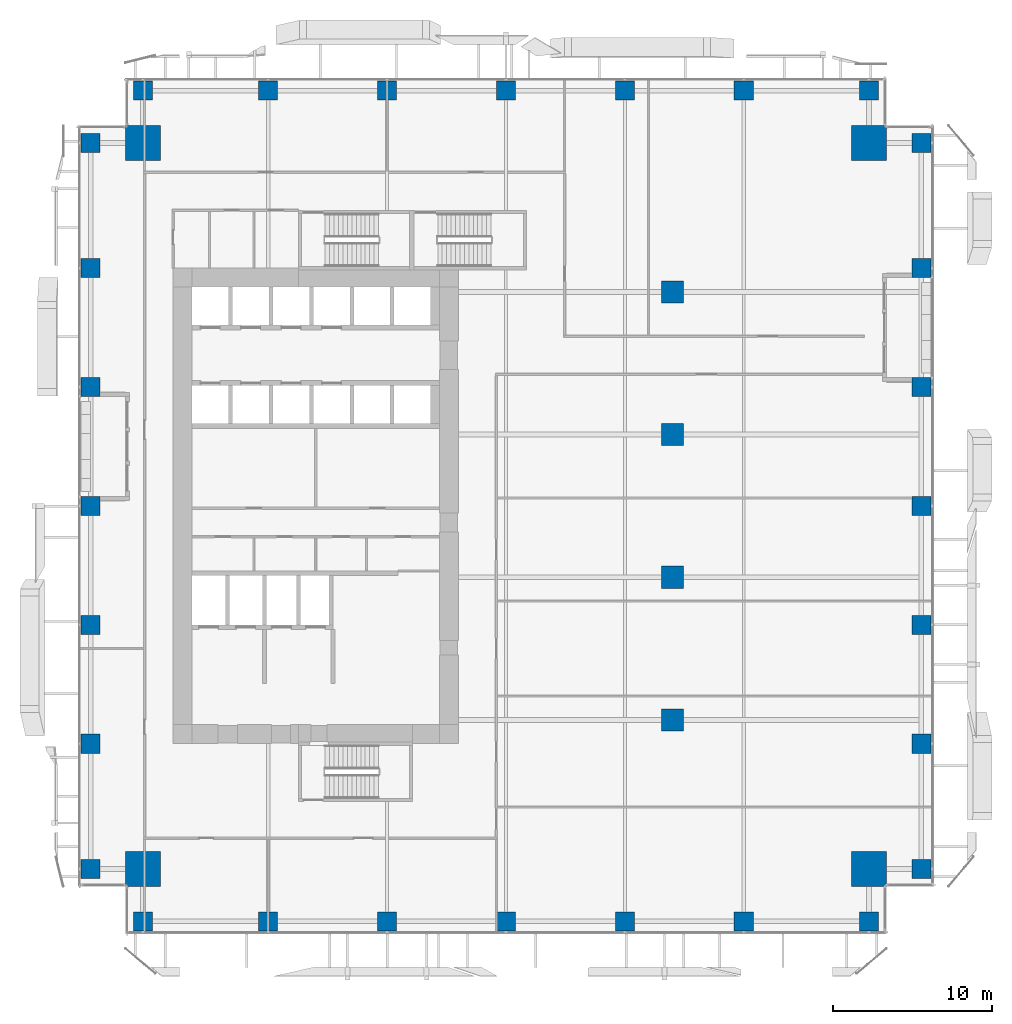
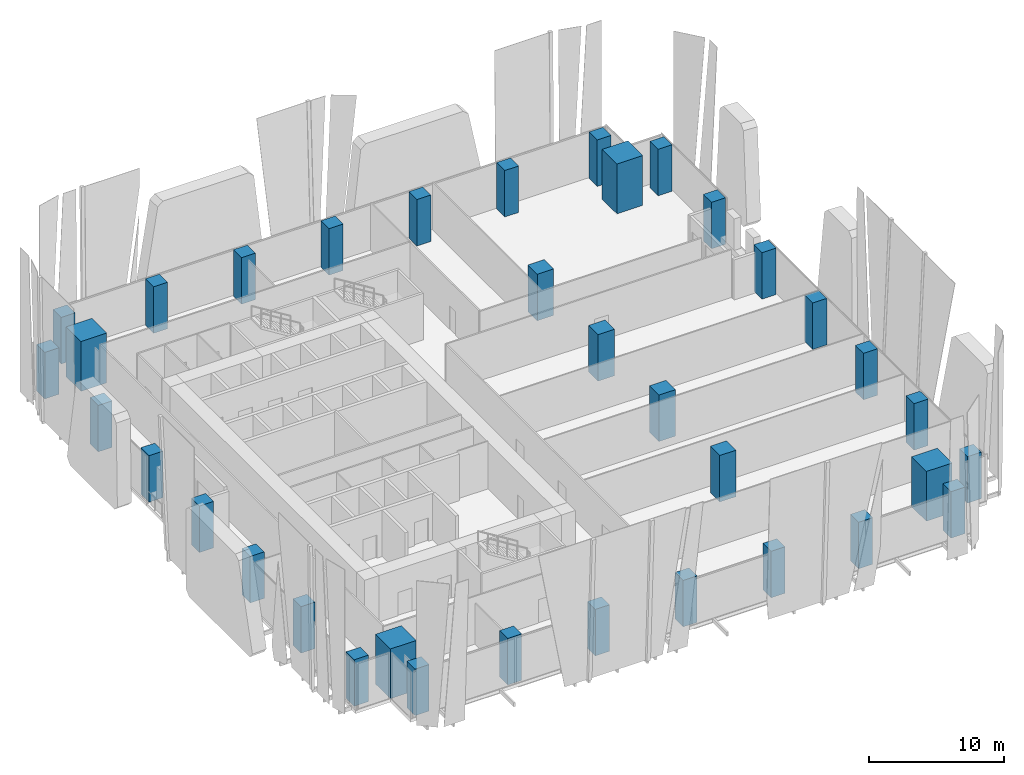
# One storey, part 1 of 37: 36 columns.
"""IFC4 building model written with IfcOpenShell, lengths in metres."""

import ifcopenshell
import ifcopenshell.guid

model = None  # the IFC model being written
_history = None  # IfcOwnerHistory: only IFC2X3 demands one
_inside = {}  # id of a spatial element -> (the spatial element, [elements in it])
_under = {}  # id of a project, library or spatial element -> (it, [spatial elements below it])
_declared = {}  # id of a project -> (the project, [libraries it declares])
_typed = {}  # id of a type object -> (the type object, [elements of that type])
_made_of = {}  # id of a material, layer set ... -> (it, [elements and type objects made of it])


def new_model(schema):
    """Start an empty IFC model of exactly this schema.

    Asked for "IFC4X3", IfcOpenShell would pick the latest addendum, in which some entities
    have other attributes; the version numbers below select the first issue.
    IFC2X3 requires an IfcOwnerHistory on every rooted entity: one is made here for all.
    """
    global model, _history
    if schema == "IFC4X3":
        model = ifcopenshell.file(schema_version=(4, 3, 0, 0))
    else:
        model = ifcopenshell.file(schema=schema)
    _inside.clear()
    _under.clear()
    _declared.clear()
    _typed.clear()
    _made_of.clear()
    _history = None
    if model.schema == "IFC2X3":
        org = make("IfcOrganization", Name="unknown")
        user = make(
            "IfcPersonAndOrganization",
            ThePerson=make("IfcPerson", FamilyName="unknown"),
            TheOrganization=org,
        )
        app = make(
            "IfcApplication",
            ApplicationDeveloper=org,
            Version="unknown",
            ApplicationFullName="unknown",
            ApplicationIdentifier="unknown",
        )
        _history = make(
            "IfcOwnerHistory",
            OwningUser=user,
            OwningApplication=app,
            ChangeAction="ADDED",
            CreationDate=0,
        )
    return model


def make(cls, **values):
    """One entity of the class cls with the attributes given. An attribute that is None is left unset."""
    return model.create_entity(
        cls, **{name: value for name, value in values.items() if value is not None}
    )


def rooted(cls, **values):
    """An entity with a GlobalId (a new one), such as an element, a storey or a relation."""
    return make(cls, GlobalId=ifcopenshell.guid.new(), OwnerHistory=_history, **values)


def si_unit(unit_type, name, prefix=None):
    """IfcSIUnit, for example si_unit("LENGTHUNIT", "METRE", prefix="MILLI")."""
    return make("IfcSIUnit", UnitType=unit_type, Prefix=prefix, Name=name)


def assignment(units):
    """IfcUnitAssignment: the units of a project."""
    return None if units is None else make("IfcUnitAssignment", Units=units)


def point(xyz):
    """IfcCartesianPoint."""
    return None if xyz is None else make("IfcCartesianPoint", Coordinates=xyz)


def direction(xyz):
    """IfcDirection."""
    return None if xyz is None else make("IfcDirection", DirectionRatios=xyz)


def frame(location, z_axis=None, x_axis=None):
    """IfcAxis2Placement3D, a coordinate frame: its origin and axes. An axis left out is left unset."""
    return make(
        "IfcAxis2Placement3D",
        Location=point(location),
        Axis=direction(z_axis),
        RefDirection=direction(x_axis),
    )


def frame_2d(location, x_axis=None):
    """IfcAxis2Placement2D, a coordinate frame in the plane: its origin and x axis."""
    return make(
        "IfcAxis2Placement2D", Location=point(location), RefDirection=direction(x_axis)
    )


def origin():
    """The frame at (0, 0, 0) with its axes left unset."""
    return frame((0.0, 0.0, 0.0))


def origin_2d():
    """The frame at (0, 0) in the plane with its x axis left unset."""
    return frame_2d((0.0, 0.0))


def place(relative_to, where):
    """IfcLocalPlacement: puts the frame where relative to a parent placement (None: the world)."""
    return make(
        "IfcLocalPlacement", PlacementRelTo=relative_to, RelativePlacement=where
    )


def context(
    kind, dimensions, precision=None, world=None, true_north=None, identifier=None
):
    """IfcGeometricRepresentationContext, for example the 3D "Model" context."""
    return make(
        "IfcGeometricRepresentationContext",
        ContextIdentifier=identifier,
        ContextType=kind,
        CoordinateSpaceDimension=dimensions,
        Precision=precision,
        WorldCoordinateSystem=world,
        TrueNorth=true_north,
    )


def subcontext(parent, identifier, kind, view, scale=None):
    """IfcGeometricRepresentationSubContext, for example "Body" below "Model"."""
    return make(
        "IfcGeometricRepresentationSubContext",
        ContextIdentifier=identifier,
        ContextType=kind,
        ParentContext=parent,
        TargetScale=scale,
        TargetView=view,
    )


def project(units=None, contexts=None):
    """IfcProject with its units and contexts."""
    return rooted(
        "IfcProject",
        Name="project",
        RepresentationContexts=contexts,
        UnitsInContext=assignment(units),
    )


def spatial(cls, under=None, at=None, **own):
    """A site, building, storey or space (cls), placed at a placement, below another one or the project."""
    s = rooted(cls, ObjectPlacement=at, **own)
    if under is not None:
        _under.setdefault(under.id(), (under, []))[1].append(s)
    return s


def profile(cls, at=None, kind="AREA", **sizes):
    """A parametric profile (cls). Its sizes go by their IFC names, for example OverallWidth=200.0."""
    return make(cls, ProfileType=kind, Position=at, **sizes)


def rectangle(**sizes):
    """IfcRectangleProfileDef."""
    return profile("IfcRectangleProfileDef", **sizes)


def extrude(swept, where, along, depth):
    """IfcExtrudedAreaSolid: the profile swept, set in the frame where, extruded along a direction by depth."""
    return make(
        "IfcExtrudedAreaSolid",
        SweptArea=swept,
        Position=where,
        ExtrudedDirection=direction(along),
        Depth=depth,
    )


def shape(context_of_items, identifier, shape_type, items):
    """IfcShapeRepresentation: the items that make up one representation, for example the "Body"."""
    return make(
        "IfcShapeRepresentation",
        ContextOfItems=context_of_items,
        RepresentationIdentifier=identifier,
        RepresentationType=shape_type,
        Items=items,
    )


def source(mapping_origin, context_of_items, identifier, shape_type, items):
    """IfcRepresentationMap: a shape defined once, which mapped items show again and again."""
    return make(
        "IfcRepresentationMap",
        MappingOrigin=mapping_origin,
        MappedRepresentation=shape(context_of_items, identifier, shape_type, items),
    )


def transform(
    local_origin,
    x_axis=None,
    y_axis=None,
    z_axis=None,
    scale=None,
    scale2=None,
    scale3=None,
    uniform=True,
):
    """IfcCartesianTransformationOperator3D, or its non-uniform kind. x_axis, y_axis, z_axis: its Axis1, 2, 3."""
    if uniform:
        return make(
            "IfcCartesianTransformationOperator3D",
            Axis1=direction(x_axis),
            Axis2=direction(y_axis),
            LocalOrigin=point(local_origin),
            Scale=scale,
            Axis3=direction(z_axis),
        )
    return make(
        "IfcCartesianTransformationOperator3DnonUniform",
        Axis1=direction(x_axis),
        Axis2=direction(y_axis),
        LocalOrigin=point(local_origin),
        Scale=scale,
        Axis3=direction(z_axis),
        Scale2=scale2,
        Scale3=scale3,
    )


def mapped(mapping_source, mapping_target):
    """IfcMappedItem: shows the shape of a source again, moved by a transform."""
    return make(
        "IfcMappedItem", MappingSource=mapping_source, MappingTarget=mapping_target
    )


def material(Name=None, Category=None):
    """IfcMaterial."""
    return make("IfcMaterial", Name=Name, Category=Category)


def material_profile(
    of_material, cross_section, Name=None, Category=None, Priority=None
):
    """IfcMaterialProfile: a cross section and its material."""
    return make(
        "IfcMaterialProfile",
        Name=Name,
        Material=of_material,
        Profile=cross_section,
        Priority=Priority,
        Category=Category,
    )


def profile_set(profiles, Name=None, composite=None):
    """IfcMaterialProfileSet."""
    return make(
        "IfcMaterialProfileSet",
        Name=Name,
        MaterialProfiles=profiles,
        CompositeProfile=composite,
    )


def made_of(thing, what):
    """Note that an element or type object is made of a material, layer set ...; save() writes the relation."""
    if what is not None:
        _made_of.setdefault(what.id(), (what, []))[1].append(thing)
    return thing


def type_object(cls, material=None, **own):
    """A type object (cls), such as IfcWallType, which elements share."""
    return made_of(rooted(cls, **own), material)


def element(
    cls,
    number,
    at=None,
    inside=None,
    cuts=None,
    type_object=None,
    material=None,
    context=None,
    identifier="Body",
    shape_type=None,
    held_by="IfcProductDefinitionShape",
    body=None,
    shapes=None,
    **own,
):
    """One element of the class cls, such as IfcWall. Its Tag is "e" and its number.

    at: its placement. inside: the storey or other place that contains it. cuts: it is an
    opening in that element (IfcRelVoidsElement). A single representation is given by context,
    identifier, shape_type and body (its items); several are given by shapes. held_by: the class
    of the entity that holds the representations. save() writes the other relations.
    """
    e = rooted(cls, Tag="e%d" % number, ObjectPlacement=at, **own)
    if body is not None:
        shapes = [shape(context, identifier, shape_type, body)]
    if shapes is not None:
        e.Representation = make(held_by, Representations=shapes)
    if inside is not None:
        _inside.setdefault(inside.id(), (inside, []))[1].append(e)
    if cuts is not None:
        rooted(
            "IfcRelVoidsElement", RelatingBuildingElement=cuts, RelatedOpeningElement=e
        )
    if type_object is not None:
        _typed.setdefault(type_object.id(), (type_object, []))[1].append(e)
    return made_of(e, material)


def aggregate(whole, parts):
    """IfcRelAggregates: a whole, such as a stair, and the parts it consists of."""
    return rooted("IfcRelAggregates", RelatingObject=whole, RelatedObjects=parts)


def save(model, path):
    """Write the relations noted so far, then the file.

    IfcRelAggregates (storeys below a building ...), IfcRelContainedInSpatialStructure (elements
    in a storey), IfcRelDefinesByType, IfcRelAssociatesMaterial and IfcRelDeclares: one each for
    every whole, place, type object, material and project.
    """
    for whole, parts in _under.values():
        aggregate(whole, parts)
    for where, things in _inside.values():
        rooted(
            "IfcRelContainedInSpatialStructure",
            RelatedElements=things,
            RelatingStructure=where,
        )
    for kind, things in _typed.values():
        rooted("IfcRelDefinesByType", RelatedObjects=things, RelatingType=kind)
    for what, things in _made_of.values():
        rooted("IfcRelAssociatesMaterial", RelatedObjects=things, RelatingMaterial=what)
    for by, libraries in _declared.values():
        rooted("IfcRelDeclares", RelatingContext=by, RelatedDefinitions=libraries)
    model.write(path)


model = new_model("IFC4")

# Units and contexts
model_context = context("Model", 3, precision=1e-05, world=origin(), true_north=direction((0.0, 1.0)))
body_context = subcontext(model_context, "Body", "Model", "MODEL_VIEW")
ifc_project = project(units=[si_unit("LENGTHUNIT", "METRE"), si_unit("AREAUNIT", "SQUARE_METRE"), si_unit("VOLUMEUNIT", "CUBIC_METRE"), si_unit("PLANEANGLEUNIT", "RADIAN"), si_unit("MASSUNIT", "GRAM", prefix="KILO")], contexts=[model_context])

# Site, building, storey
site_placement = place(None, origin())
site = spatial("IfcSite", under=ifc_project, at=site_placement, CompositionType="ELEMENT")
building_placement = place(site_placement, origin())
building = spatial("IfcBuilding", under=site, at=building_placement, Name="Khomas Fold Tower", CompositionType="ELEMENT")
storey_placement = place(building_placement, frame((0.0, 0.0, 60.0)))
storey = spatial("IfcBuildingStorey", under=building, at=storey_placement, Name="L12", CompositionType="ELEMENT", Elevation=60.0)

# Columns
ifc_material_1 = material(Name="Concrete C70/85", Category="concrete")
ifc_material_profile_1 = material_profile(ifc_material_1, rectangle(XDim=2.199951171875, YDim=2.199951171875, at=origin_2d()), Name="RC 2200x2200")
ifc_profile_set_1 = profile_set([ifc_material_profile_1], Name="Concrete C70/85")
column_type_1 = type_object("IfcColumnType", Name="RC 2200x2200 column", PredefinedType="COLUMN", material=ifc_profile_set_1)
shared_shape_1 = source(origin(), body_context, "Body", "SweptSolid", [
    extrude(rectangle(XDim=2.199951171875, YDim=2.199951171875, at=origin_2d()), origin(), (0.0, 0.0, 1.0), 4.5),
])
for number, where, z_axis, x_axis, name in (
    (1, (49.89990234375, 49.89990234375, 0.0), (0.0, 0.0, 1.0), (1.0, 0.0, 0.0), "CM-NE"),
    (2, (4.10009765625, 49.89990234375, 0.0), (0.0, 0.0, 1.0), (1.0, 0.0, 0.0), "CM-NW"),
    (3, (49.89990234375, 4.10009765625, 0.0), (0.0, 0.0, 1.0), (1.0, 0.0, 0.0), "CM-SE"),
    (4, (4.10009765625, 4.10009765625, 0.0), (0.0, 0.0, 1.0), (1.0, 0.0, 0.0), "CM-SW"),
):
    element("IfcColumn", number, at=place(storey_placement, frame(where, z_axis=z_axis, x_axis=x_axis)), inside=storey, type_object=column_type_1, Name=name, PredefinedType="COLUMN", context=body_context, shape_type="MappedRepresentation", body=[
        mapped(shared_shape_1, transform((0.0, 0.0, 0.0))),
    ])
ifc_material_2 = material(Name="Concrete C60/75", Category="concrete")
ifc_material_profile_2 = material_profile(ifc_material_2, rectangle(XDim=1.199951171875, YDim=1.199951171875, at=origin_2d()), Name="RC 1200x1200")
ifc_profile_set_2 = profile_set([ifc_material_profile_2], Name="Concrete C60/75")
column_type_2 = type_object("IfcColumnType", Name="RC 1200x1200 column", PredefinedType="COLUMN", material=ifc_profile_set_2)
shared_shape_2 = source(origin(), body_context, "Body", "SweptSolid", [
    extrude(rectangle(XDim=1.199951171875, YDim=1.199951171875, at=origin_2d()), origin(), (0.0, 0.0, 1.0), 4.199951171875),
])
for number, where, z_axis, x_axis, name in (
    (5, (4.10009765625, 0.800048828125, 0.0), (0.0, 0.0, 1.0), (1.0, 0.0, 0.0), "C-2-SF1"),
    (6, (12.0, 0.800048828125, 0.0), (0.0, 0.0, 1.0), (1.0, 0.0, 0.0), "C-6-SF1"),
    (7, (19.5, 0.800048828125, 0.0), (0.0, 0.0, 1.0), (1.0, 0.0, 0.0), "C-8-SF1"),
    (8, (27.0, 0.800048828125, 0.0), (0.0, 0.0, 1.0), (1.0, 0.0, 0.0), "C-9-SF1"),
    (9, (34.5, 0.800048828125, 0.0), (0.0, 0.0, 1.0), (1.0, 0.0, 0.0), "C-10-SF1"),
    (10, (42.0, 0.800048828125, 0.0), (0.0, 0.0, 1.0), (1.0, 0.0, 0.0), "C-13-SF1"),
    (11, (49.89990234375, 0.800048828125, 0.0), (0.0, 0.0, 1.0), (1.0, 0.0, 0.0), "C-17-SF1"),
    (12, (53.199951171875, 4.10009765625, 0.0), (0.0, 0.0, 1.0), (1.0, 0.0, 0.0), "C-E1-A"),
    (13, (53.199951171875, 12.0, 0.0), (0.0, 0.0, 1.0), (1.0, 0.0, 0.0), "C-E1-F"),
    (14, (53.199951171875, 19.5, 0.0), (0.0, 0.0, 1.0), (1.0, 0.0, 0.0), "C-E1-J"),
    (15, (53.199951171875, 27.0, 0.0), (0.0, 0.0, 1.0), (1.0, 0.0, 0.0), "C-E1-L"),
    (16, (53.199951171875, 34.5, 0.0), (0.0, 0.0, 1.0), (1.0, 0.0, 0.0), "C-E1-N"),
    (17, (53.199951171875, 42.0, 0.0), (0.0, 0.0, 1.0), (1.0, 0.0, 0.0), "C-E1-R"),
    (18, (53.199951171875, 49.89990234375, 0.0), (0.0, 0.0, 1.0), (1.0, 0.0, 0.0), "C-E1-W"),
    (19, (4.10009765625, 53.199951171875, 0.0), (0.0, 0.0, 1.0), (1.0, 0.0, 0.0), "C-2-NF1"),
    (20, (12.0, 53.199951171875, 0.0), (0.0, 0.0, 1.0), (1.0, 0.0, 0.0), "C-6-NF1"),
    (21, (19.5, 53.199951171875, 0.0), (0.0, 0.0, 1.0), (1.0, 0.0, 0.0), "C-8-NF1"),
    (22, (27.0, 53.199951171875, 0.0), (0.0, 0.0, 1.0), (1.0, 0.0, 0.0), "C-9-NF1"),
    (23, (34.5, 53.199951171875, 0.0), (0.0, 0.0, 1.0), (1.0, 0.0, 0.0), "C-10-NF1"),
    (24, (42.0, 53.199951171875, 0.0), (0.0, 0.0, 1.0), (1.0, 0.0, 0.0), "C-13-NF1"),
    (25, (49.89990234375, 53.199951171875, 0.0), (0.0, 0.0, 1.0), (1.0, 0.0, 0.0), "C-17-NF1"),
    (26, (0.800048828125, 4.10009765625, 0.0), (0.0, 0.0, 1.0), (1.0, 0.0, 0.0), "C-W1-A"),
    (27, (0.800048828125, 12.0, 0.0), (0.0, 0.0, 1.0), (1.0, 0.0, 0.0), "C-W1-F"),
    (28, (0.800048828125, 19.5, 0.0), (0.0, 0.0, 1.0), (1.0, 0.0, 0.0), "C-W1-J"),
    (29, (0.800048828125, 27.0, 0.0), (0.0, 0.0, 1.0), (1.0, 0.0, 0.0), "C-W1-L"),
    (30, (0.800048828125, 34.5, 0.0), (0.0, 0.0, 1.0), (1.0, 0.0, 0.0), "C-W1-N"),
    (31, (0.800048828125, 42.0, 0.0), (0.0, 0.0, 1.0), (1.0, 0.0, 0.0), "C-W1-R"),
    (32, (0.800048828125, 49.89990234375, 0.0), (0.0, 0.0, 1.0), (1.0, 0.0, 0.0), "C-W1-W"),
):
    element("IfcColumn", number, at=place(storey_placement, frame(where, z_axis=z_axis, x_axis=x_axis)), inside=storey, type_object=column_type_2, Name=name, PredefinedType="COLUMN", context=body_context, shape_type="MappedRepresentation", body=[
        mapped(shared_shape_2, transform((0.0, 0.0, 0.0))),
    ])
ifc_material_3 = material(Name="Concrete C60/75", Category="concrete")
ifc_material_profile_3 = material_profile(ifc_material_3, rectangle(XDim=1.39990234375, YDim=1.39990234375, at=origin_2d()), Name="RC 1400x1400")
ifc_profile_set_3 = profile_set([ifc_material_profile_3], Name="Concrete C60/75")
column_type_3 = type_object("IfcColumnType", Name="RC 1400x1400 column", PredefinedType="COLUMN", material=ifc_profile_set_3)
shared_shape_3 = source(origin(), body_context, "Body", "SweptSolid", [
    extrude(rectangle(XDim=1.39990234375, YDim=1.39990234375, at=origin_2d()), origin(), (0.0, 0.0, 1.0), 4.199951171875),
])
for number, where, z_axis, x_axis, name in (
    (33, (37.5, 13.5, 0.0), (0.0, 0.0, 1.0), (1.0, 0.0, 0.0), "C-11-H"),
    (34, (37.5, 22.5, 0.0), (0.0, 0.0, 1.0), (1.0, 0.0, 0.0), "C-11-K"),
    (35, (37.5, 31.5, 0.0), (0.0, 0.0, 1.0), (1.0, 0.0, 0.0), "C-11-M"),
    (36, (37.5, 40.5, 0.0), (0.0, 0.0, 1.0), (1.0, 0.0, 0.0), "C-11-P"),
):
    element("IfcColumn", number, at=place(storey_placement, frame(where, z_axis=z_axis, x_axis=x_axis)), inside=storey, type_object=column_type_3, Name=name, PredefinedType="COLUMN", context=body_context, shape_type="MappedRepresentation", body=[
        mapped(shared_shape_3, transform((0.0, 0.0, 0.0))),
    ])

save(model, "model.ifc")
